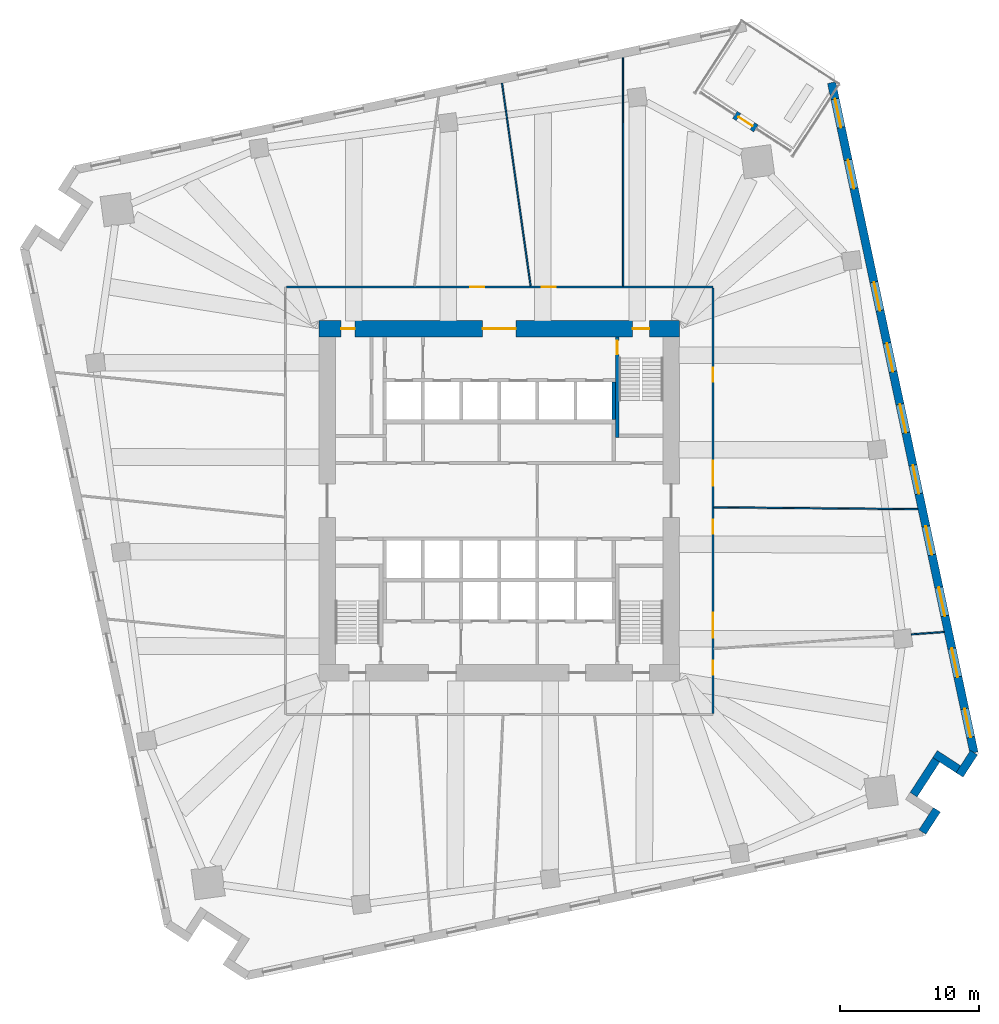
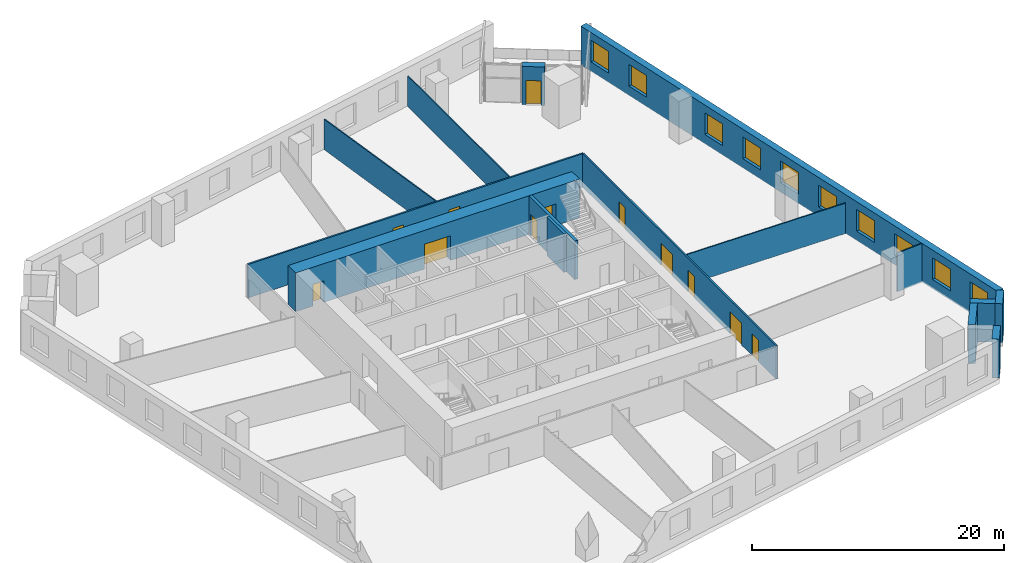
# One storey, part 7 of 10: 15 walls, 12 doors, 10 windows, 22 openings.
"""IFC4 building model written with IfcOpenShell, lengths in metres."""

from ifc_helpers import new_model, si_unit, direction, frame, frame_2d, origin, place, context, subcontext, project, spatial, rectangle, extrude, material, layer, layer_set, type_object, element, fill, save


model = new_model("IFC4")

# Units and contexts
model_context = context("Model", 3, precision=1e-05, world=origin(), true_north=direction((0.0, 1.0)))
body_context = subcontext(model_context, "Body", "Model", "MODEL_VIEW")
ifc_project = project(units=[si_unit("LENGTHUNIT", "METRE"), si_unit("AREAUNIT", "SQUARE_METRE"), si_unit("VOLUMEUNIT", "CUBIC_METRE"), si_unit("PLANEANGLEUNIT", "RADIAN"), si_unit("MASSUNIT", "GRAM", prefix="KILO")], contexts=[model_context])

# Site, building, storey
site_placement = place(None, origin())
site = spatial("IfcSite", under=ifc_project, at=site_placement, CompositionType="ELEMENT")
building_placement = place(site_placement, origin())
building = spatial("IfcBuilding", under=site, at=building_placement, Name="Dilmun Exchange Tower", CompositionType="ELEMENT")
storey_placement = place(building_placement, frame((0.0, 0.0, 68.10009765625)))
storey = spatial("IfcBuildingStorey", under=building, at=storey_placement, Name="L15", CompositionType="ELEMENT", Elevation=68.10009765625)

# Wall, openings, doors
ifc_material_1 = material(Name="Concrete C80/95", Category="concrete")
ifc_layer_1 = layer(ifc_material_1, 1.199951171875)
ifc_layer_set_1 = layer_set([ifc_layer_1], Name="Concrete C80/95")
wall_type_1 = type_object("IfcWallType", Name="Core shear wall 1200 Concrete C80/95", PredefinedType="SHEAR", material=ifc_layer_set_1)
wall_1_placement = place(storey_placement, frame((-13.0, 12.39990234375, 0.0), z_axis=(0.0, 0.0, 1.0), x_axis=(1.0, 0.0, 0.0)))
wall_1 = element("IfcWall", 1, at=wall_1_placement, inside=storey, type_object=wall_type_1, Name="L15 core shear wall N", PredefinedType="SHEAR", context=body_context, shape_type="SweptSolid", body=[
    extrude(rectangle(XDim=26.0, YDim=1.199951171875, at=frame_2d((13.0, 0.0))), origin(), (0.0, 0.0, 1.0), 3.75),
])
opening_1_placement = place(wall_1_placement, frame((11.800048828125, 0.0, 0.0)))
opening_1 = element("IfcOpeningElement", 2, at=opening_1_placement, cuts=wall_1, Name="Opening CD1", PredefinedType="OPENING", context=body_context, shape_type="SweptSolid", body=[
    extrude(rectangle(XDim=2.39990234375, YDim=2.39990234375, at=frame_2d((1.199951171875, 1.199951171875))), frame((0.0, 0.60986328125, 0.0), z_axis=(0.0, -1.0, 0.0), x_axis=(1.0, 0.0, 0.0)), (0.0, 0.0, 1.0), 1.219970703125),
])
opening_2_placement = place(wall_1_placement, frame((22.625, 0.0, 0.0)))
opening_2 = element("IfcOpeningElement", 3, at=opening_2_placement, cuts=wall_1, Name="Opening CD3", PredefinedType="OPENING", context=body_context, shape_type="SweptSolid", body=[
    extrude(rectangle(XDim=1.199951171875, YDim=2.10009765625, at=frame_2d((0.60009765625, 1.050048828125))), frame((0.0, 0.60986328125, 0.0), z_axis=(0.0, -1.0, 0.0), x_axis=(1.0, 0.0, 0.0)), (0.0, 0.0, 1.0), 1.219970703125),
])
opening_3_placement = place(wall_1_placement, frame((1.60009765625, 0.0, 0.0)))
opening_3 = element("IfcOpeningElement", 4, at=opening_3_placement, cuts=wall_1, Name="Opening CD4", PredefinedType="OPENING", context=body_context, shape_type="SweptSolid", body=[
    extrude(rectangle(XDim=1.0, YDim=2.10009765625, at=frame_2d((0.5, 1.050048828125))), frame((0.0, 0.60986328125, 0.0), z_axis=(0.0, -1.0, 0.0), x_axis=(1.0, 0.0, 0.0)), (0.0, 0.0, 1.0), 1.219970703125),
])
ifc_material_2 = material(Name="Fire-rated steel door set", Category="steel")
door_type_1 = type_object("IfcDoorType", Name="Core lobby door 2400x2400", OperationType="DOUBLE_DOOR_DOUBLE_SWING", PredefinedType="DOOR", material=ifc_material_2)
door_1_placement = place(opening_1_placement, origin())
door_1 = element("IfcDoor", 5, at=door_1_placement, inside=storey, type_object=door_type_1, Name="L15 door North lift lobby", OperationType="SINGLE_SWING_LEFT", OverallHeight=2.39990234375, OverallWidth=2.39990234375, PredefinedType="DOOR", context=body_context, shape_type="SweptSolid", body=[
    extrude(rectangle(XDim=2.39990234375, YDim=2.39990234375, at=frame_2d((1.199951171875, 1.199951171875))), frame((0.0, 0.02490234375, 0.0), z_axis=(0.0, -1.0, 0.0), x_axis=(1.0, 0.0, 0.0)), (0.0, 0.0, 1.0), 0.050048828125),
])
fill(opening_1, door_1)
door_type_2 = type_object("IfcDoorType", Name="Core room door 1000x2100", OperationType="SINGLE_SWING_LEFT", PredefinedType="DOOR", material=ifc_material_2)
door_2_placement = place(opening_3_placement, origin())
door_2 = element("IfcDoor", 6, at=door_2_placement, inside=storey, type_object=door_type_2, Name="L15 door North-west core rooms", OperationType="SINGLE_SWING_LEFT", OverallHeight=2.10009765625, OverallWidth=1.0, PredefinedType="DOOR", context=body_context, shape_type="SweptSolid", body=[
    extrude(rectangle(XDim=1.0, YDim=2.10009765625, at=frame_2d((0.5, 1.050048828125))), frame((0.0, 0.02490234375, 0.0), z_axis=(0.0, -1.0, 0.0), x_axis=(1.0, 0.0, 0.0)), (0.0, 0.0, 1.0), 0.050048828125),
])
fill(opening_3, door_2)
door_type_3 = type_object("IfcDoorType", Name="Stair exit door 1200x2100", OperationType="SINGLE_SWING_LEFT", PredefinedType="DOOR", material=ifc_material_2)
door_3_placement = place(opening_2_placement, origin())
door_3 = element("IfcDoor", 7, at=door_3_placement, inside=storey, type_object=door_type_3, Name="L15 door Stair ST1", OperationType="SINGLE_SWING_LEFT", OverallHeight=2.10009765625, OverallWidth=1.199951171875, PredefinedType="DOOR", context=body_context, shape_type="SweptSolid", body=[
    extrude(rectangle(XDim=1.199951171875, YDim=2.10009765625, at=frame_2d((0.60009765625, 1.050048828125))), frame((0.0, 0.02490234375, 0.0), z_axis=(0.0, -1.0, 0.0), x_axis=(1.0, 0.0, 0.0)), (0.0, 0.0, 1.0), 0.050048828125),
])
fill(opening_2, door_3)

ifc_material_3 = material(Name="Corridor wall 150")
ifc_layer_2 = layer(ifc_material_3, 0.14990234375)
ifc_layer_set_2 = layer_set([ifc_layer_2], Name="Corridor wall 150")
wall_type_2 = type_object("IfcWallType", Name="Corridor wall 150", PredefinedType="PARTITIONING", material=ifc_layer_set_2)
wall_2_placement = place(storey_placement, frame((-15.324951171875, 15.39990234375, 0.0), z_axis=(0.0, 0.0, 1.0), x_axis=(1.0, 0.0, 0.0)))
wall_2 = element("IfcWall", 8, at=wall_2_placement, inside=storey, type_object=wall_type_2, Name="Corridor wall", PredefinedType="PARTITIONING", context=body_context, shape_type="SweptSolid", body=[
    extrude(rectangle(XDim=30.724853515625, YDim=0.14990234375, at=frame_2d((15.3623046875, 0.0))), origin(), (0.0, 0.0, 1.0), 3.25),
])
opening_4_placement = place(wall_2_placement, frame((13.251953125, 0.0, 0.0)))
opening_4 = element("IfcOpeningElement", 9, at=opening_4_placement, cuts=wall_2, Name="Opening TF15-D08", PredefinedType="OPENING", context=body_context, shape_type="SweptSolid", body=[
    extrude(rectangle(XDim=1.0, YDim=2.10009765625, at=frame_2d((0.5, 1.050048828125))), frame((0.0, 0.0849609375, 0.0), z_axis=(0.0, -1.0, 0.0), x_axis=(1.0, 0.0, 0.0)), (0.0, 0.0, 1.0), 0.169921875),
])
opening_5_placement = place(wall_2_placement, frame((18.39501953125, 0.0, 0.0)))
opening_5 = element("IfcOpeningElement", 10, at=opening_5_placement, cuts=wall_2, Name="Opening TF15-D10", PredefinedType="OPENING", context=body_context, shape_type="SweptSolid", body=[
    extrude(rectangle(XDim=1.0, YDim=2.10009765625, at=frame_2d((0.5, 1.050048828125))), frame((0.0, 0.0849609375, 0.0), z_axis=(0.0, -1.0, 0.0), x_axis=(1.0, 0.0, 0.0)), (0.0, 0.0, 1.0), 0.169921875),
])
ifc_material_4 = material(Name="Fire door 1000 x 2100")
door_type_4 = type_object("IfcDoorType", Name="Fire door 1000 x 2100", OperationType="NOTDEFINED", PredefinedType="DOOR", material=ifc_material_4)
door_4_placement = place(opening_4_placement, origin())
door_4 = element("IfcDoor", 11, at=door_4_placement, inside=storey, type_object=door_type_4, Name="Door TF15-D08", OperationType="SINGLE_SWING_RIGHT", OverallHeight=2.10009765625, OverallWidth=1.0, PredefinedType="DOOR", context=body_context, shape_type="SweptSolid", body=[
    extrude(rectangle(XDim=1.0, YDim=2.10009765625, at=frame_2d((0.5, 1.050048828125))), frame((0.0, 0.02490234375, 0.0), z_axis=(0.0, -1.0, 0.0), x_axis=(1.0, 0.0, 0.0)), (0.0, 0.0, 1.0), 0.050048828125),
])
fill(opening_4, door_4)
door_5_placement = place(opening_5_placement, origin())
door_5 = element("IfcDoor", 12, at=door_5_placement, inside=storey, type_object=door_type_4, Name="Door TF15-D10", OperationType="SINGLE_SWING_LEFT", OverallHeight=2.10009765625, OverallWidth=1.0, PredefinedType="DOOR", context=body_context, shape_type="SweptSolid", body=[
    extrude(rectangle(XDim=1.0, YDim=2.10009765625, at=frame_2d((0.5, 1.050048828125))), frame((0.0, 0.02490234375, 0.0), z_axis=(0.0, -1.0, 0.0), x_axis=(1.0, 0.0, 0.0)), (0.0, 0.0, 1.0), 0.050048828125),
])
fill(opening_5, door_5)

wall_3_placement = place(storey_placement, frame((15.39990234375, -15.324951171875, 0.0), z_axis=(0.0, 0.0, 1.0), x_axis=(0.0, 1.0, 0.0)))
wall_3 = element("IfcWall", 13, at=wall_3_placement, inside=storey, type_object=wall_type_2, Name="Corridor wall", PredefinedType="PARTITIONING", context=body_context, shape_type="SweptSolid", body=[
    extrude(rectangle(XDim=30.64990234375, YDim=0.14990234375, at=frame_2d((15.324951171875, 0.0))), origin(), (0.0, 0.0, 1.0), 3.25),
])
opening_6_placement = place(wall_3_placement, frame((16.405029296875, 0.0, 0.0)))
opening_6 = element("IfcOpeningElement", 14, at=opening_6_placement, cuts=wall_3, Name="Opening TF15-D11", PredefinedType="OPENING", context=body_context, shape_type="SweptSolid", body=[
    extrude(rectangle(XDim=1.800048828125, YDim=2.10009765625, at=frame_2d((0.89990234375, 1.050048828125))), frame((0.0, 0.0849609375, 0.0), z_axis=(0.0, -1.0, 0.0), x_axis=(1.0, 0.0, 0.0)), (0.0, 0.0, 1.0), 0.169921875),
])
opening_7_placement = place(wall_3_placement, frame((23.905029296875, 0.0, 0.0)))
opening_7 = element("IfcOpeningElement", 15, at=opening_7_placement, cuts=wall_3, Name="Opening TF15-D12", PredefinedType="OPENING", context=body_context, shape_type="SweptSolid", body=[
    extrude(rectangle(XDim=1.0, YDim=2.10009765625, at=frame_2d((0.5, 1.050048828125))), frame((0.0, 0.0849609375, 0.0), z_axis=(0.0, -1.0, 0.0), x_axis=(1.0, 0.0, 0.0)), (0.0, 0.0, 1.0), 0.169921875),
])
opening_8_placement = place(wall_3_placement, frame((2.800048828125, 0.0, 0.0)))
opening_8 = element("IfcOpeningElement", 16, at=opening_8_placement, cuts=wall_3, Name="Opening TF15-D14", PredefinedType="OPENING", context=body_context, shape_type="SweptSolid", body=[
    extrude(rectangle(XDim=1.0, YDim=2.10009765625, at=frame_2d((0.5, 1.050048828125))), frame((0.0, 0.0849609375, 0.0), z_axis=(0.0, -1.0, 0.0), x_axis=(1.0, 0.0, 0.0)), (0.0, 0.0, 1.0), 0.169921875),
])
opening_9_placement = place(wall_3_placement, frame((5.454833984375, 0.0, 0.0)))
opening_9 = element("IfcOpeningElement", 17, at=opening_9_placement, cuts=wall_3, Name="Opening TF15-D15", PredefinedType="OPENING", context=body_context, shape_type="SweptSolid", body=[
    extrude(rectangle(XDim=1.800048828125, YDim=2.10009765625, at=frame_2d((0.89990234375, 1.050048828125))), frame((0.0, 0.0849609375, 0.0), z_axis=(0.0, -1.0, 0.0), x_axis=(1.0, 0.0, 0.0)), (0.0, 0.0, 1.0), 0.169921875),
])
opening_10_placement = place(wall_3_placement, frame((12.954833984375, 0.0, 0.0)))
opening_10 = element("IfcOpeningElement", 18, at=opening_10_placement, cuts=wall_3, Name="Opening TF15-D16", PredefinedType="OPENING", context=body_context, shape_type="SweptSolid", body=[
    extrude(rectangle(XDim=1.0, YDim=2.10009765625, at=frame_2d((0.5, 1.050048828125))), frame((0.0, 0.0849609375, 0.0), z_axis=(0.0, -1.0, 0.0), x_axis=(1.0, 0.0, 0.0)), (0.0, 0.0, 1.0), 0.169921875),
])
door_6_placement = place(opening_7_placement, frame((1.0, 0.0, 0.0), z_axis=(0.0, 0.0, 1.0), x_axis=(-1.0, 0.0, 0.0)))
door_6 = element("IfcDoor", 19, at=door_6_placement, inside=storey, type_object=door_type_4, Name="Door TF15-D12", OperationType="SINGLE_SWING_RIGHT", OverallHeight=2.10009765625, OverallWidth=1.0, PredefinedType="DOOR", context=body_context, shape_type="SweptSolid", body=[
    extrude(rectangle(XDim=1.0, YDim=2.10009765625, at=frame_2d((0.5, 1.050048828125))), frame((0.0, 0.02490234375, 0.0), z_axis=(0.0, -1.0, 0.0), x_axis=(1.0, 0.0, 0.0)), (0.0, 0.0, 1.0), 0.050048828125),
])
fill(opening_7, door_6)
door_7_placement = place(opening_8_placement, frame((1.0, 0.0, 0.0), z_axis=(0.0, 0.0, 1.0), x_axis=(-1.0, 0.0, 0.0)))
door_7 = element("IfcDoor", 20, at=door_7_placement, inside=storey, type_object=door_type_4, Name="Door TF15-D14", OperationType="SINGLE_SWING_LEFT", OverallHeight=2.10009765625, OverallWidth=1.0, PredefinedType="DOOR", context=body_context, shape_type="SweptSolid", body=[
    extrude(rectangle(XDim=1.0, YDim=2.10009765625, at=frame_2d((0.5, 1.050048828125))), frame((0.0, 0.02490234375, 0.0), z_axis=(0.0, -1.0, 0.0), x_axis=(1.0, 0.0, 0.0)), (0.0, 0.0, 1.0), 0.050048828125),
])
fill(opening_8, door_7)
door_8_placement = place(opening_10_placement, frame((1.0, 0.0, 0.0), z_axis=(0.0, 0.0, 1.0), x_axis=(-1.0, 0.0, 0.0)))
door_8 = element("IfcDoor", 21, at=door_8_placement, inside=storey, type_object=door_type_4, Name="Door TF15-D16", OperationType="SINGLE_SWING_LEFT", OverallHeight=2.10009765625, OverallWidth=1.0, PredefinedType="DOOR", context=body_context, shape_type="SweptSolid", body=[
    extrude(rectangle(XDim=1.0, YDim=2.10009765625, at=frame_2d((0.5, 1.050048828125))), frame((0.0, 0.02490234375, 0.0), z_axis=(0.0, -1.0, 0.0), x_axis=(1.0, 0.0, 0.0)), (0.0, 0.0, 1.0), 0.050048828125),
])
fill(opening_10, door_8)
ifc_material_5 = material(Name="Fire door pair 1800 x 2100")
door_type_5 = type_object("IfcDoorType", Name="Fire door pair 1800 x 2100", OperationType="NOTDEFINED", PredefinedType="DOOR", material=ifc_material_5)
door_9_placement = place(opening_6_placement, frame((1.800048828125, 0.0, 0.0), z_axis=(0.0, 0.0, 1.0), x_axis=(-1.0, 0.0, 0.0)))
door_9 = element("IfcDoor", 22, at=door_9_placement, inside=storey, type_object=door_type_5, Name="Door TF15-D11", OperationType="DOUBLE_DOOR_SINGLE_SWING", OverallHeight=2.10009765625, OverallWidth=1.800048828125, PredefinedType="DOOR", context=body_context, shape_type="SweptSolid", body=[
    extrude(rectangle(XDim=1.800048828125, YDim=2.10009765625, at=frame_2d((0.89990234375, 1.050048828125))), frame((0.0, 0.02490234375, 0.0), z_axis=(0.0, -1.0, 0.0), x_axis=(1.0, 0.0, 0.0)), (0.0, 0.0, 1.0), 0.050048828125),
])
fill(opening_6, door_9)
door_10_placement = place(opening_9_placement, frame((1.800048828125, 0.0, 0.0), z_axis=(0.0, 0.0, 1.0), x_axis=(-1.0, 0.0, 0.0)))
door_10 = element("IfcDoor", 23, at=door_10_placement, inside=storey, type_object=door_type_5, Name="Door TF15-D15", OperationType="DOUBLE_DOOR_SINGLE_SWING", OverallHeight=2.10009765625, OverallWidth=1.800048828125, PredefinedType="DOOR", context=body_context, shape_type="SweptSolid", body=[
    extrude(rectangle(XDim=1.800048828125, YDim=2.10009765625, at=frame_2d((0.89990234375, 1.050048828125))), frame((0.0, 0.02490234375, 0.0), z_axis=(0.0, -1.0, 0.0), x_axis=(1.0, 0.0, 0.0)), (0.0, 0.0, 1.0), 0.050048828125),
])
fill(opening_9, door_10)

# Walls
ifc_material_6 = material(Name="Concrete C40/50", Category="concrete")
ifc_layer_3 = layer(ifc_material_6, 0.25)
ifc_layer_set_3 = layer_set([ifc_layer_3], Name="Concrete C40/50")
wall_type_3 = type_object("IfcWallType", Name="Lift shaft wall 250", PredefinedType="SOLIDWALL", material=ifc_layer_set_3)
wall_4_placement = place(storey_placement, frame((8.25, 5.85009765625, 0.0), z_axis=(0.0, 0.0, 1.0), x_axis=(0.0, 1.0, 0.0)))
element("IfcWall", 24, at=wall_4_placement, inside=storey, type_object=wall_type_3, Name="L15 lift shaft divider N26", PredefinedType="SOLIDWALL", context=body_context, shape_type="SweptSolid", body=[
    extrude(rectangle(XDim=2.699951171875, YDim=0.25, at=frame_2d((1.35009765625, 0.0))), origin(), (0.0, 0.0, 1.0), 3.75),
])
ifc_material_7 = material(Name="Partition 100")
ifc_layer_4 = layer(ifc_material_7, 0.10009765625)
ifc_layer_set_4 = layer_set([ifc_layer_4], Name="Partition 100")
wall_type_4 = type_object("IfcWallType", Name="Partition 100", PredefinedType="PARTITIONING", material=ifc_layer_set_4)
wall_5_placement = place(storey_placement, frame((0.204345703125, 30.09814453125, 0.0), z_axis=(0.0, 0.0, 1.0), x_axis=(0.139564003069, -0.990213052352, 0.0)))
element("IfcWall", 25, at=wall_5_placement, inside=storey, type_object=wall_type_4, Name="Partition", PredefinedType="PARTITIONING", context=body_context, shape_type="SweptSolid", body=[
    extrude(rectangle(XDim=14.7607421875, YDim=0.10009765625, at=frame_2d((7.38037109375, 0.0))), origin(), (0.0, 0.0, 1.0), 2.949951171875),
])
wall_6_placement = place(storey_placement, frame((8.92431640625, 31.95166015625, 0.0), z_axis=(0.0, 0.0, 1.0), x_axis=(0.000592697857, -0.999999824355, 0.0)))
element("IfcWall", 26, at=wall_6_placement, inside=storey, type_object=wall_type_4, Name="Partition", PredefinedType="PARTITIONING", context=body_context, shape_type="SweptSolid", body=[
    extrude(rectangle(XDim=16.4765625, YDim=0.10009765625, at=frame_2d((8.23828125, 0.0))), origin(), (0.0, 0.0, 1.0), 2.949951171875),
])
wall_7_placement = place(storey_placement, frame((15.4755859375, -0.470703125, 0.0), z_axis=(0.0, 0.0, 1.0), x_axis=(0.999958628106, -0.009096267192, 0.0)))
element("IfcWall", 27, at=wall_7_placement, inside=storey, type_object=wall_type_4, Name="Partition", PredefinedType="PARTITIONING", context=body_context, shape_type="SweptSolid", body=[
    extrude(rectangle(XDim=14.7080078125, YDim=0.10009765625, at=frame_2d((7.35400390625, 0.0))), origin(), (0.0, 0.0, 1.0), 2.949951171875),
])
wall_8_placement = place(storey_placement, frame((29.706298828125, -9.62890625, 0.0), z_axis=(0.0, 0.0, 1.0), x_axis=(0.997355486737, 0.072677596798, 0.0)))
element("IfcWall", 28, at=wall_8_placement, inside=storey, type_object=wall_type_4, Name="Partition", PredefinedType="PARTITIONING", context=body_context, shape_type="SweptSolid", body=[
    extrude(rectangle(XDim=2.364990234375, YDim=0.10009765625, at=frame_2d((1.1826171875, 0.0))), origin(), (0.0, 0.0, 1.0), 3.75),
])
ifc_material_8 = material(Name="Precast concrete C50/60", Category="concrete")
ifc_layer_5 = layer(ifc_material_8, 0.60009765625)
ifc_layer_set_5 = layer_set([ifc_layer_5], Name="Precast concrete C50/60")
wall_type_5 = type_object("IfcWallType", Name="Precast stone-clad wall 600", PredefinedType="STANDARD", material=ifc_layer_set_5)
wall_9_placement = place(storey_placement, frame((30.507080078125, -23.87890625, 0.0), z_axis=(0.0, 0.0, 1.0), x_axis=(0.5446964617, 0.838633271825, 0.0)))
element("IfcWall", 29, at=wall_9_placement, inside=storey, type_object=wall_type_5, Name="Facade wall L15-16", PredefinedType="STANDARD", context=body_context, shape_type="SweptSolid", body=[
    extrude(rectangle(XDim=1.9111328125, YDim=0.60009765625, at=frame_2d((0.95556640625, 0.0))), origin(), (0.0, 0.0, 1.0), 3.75),
])
wall_10_placement = place(storey_placement, frame((29.87060546875, -21.186767578125, 0.0), z_axis=(0.0, 0.0, 1.0), x_axis=(0.54468796124, 0.838638792855, 0.0)))
element("IfcWall", 30, at=wall_10_placement, inside=storey, type_object=wall_type_5, Name="Facade wall L15-18", PredefinedType="STANDARD", context=body_context, shape_type="SweptSolid", body=[
    extrude(rectangle(XDim=3.0, YDim=0.60009765625, at=frame_2d((1.5, 0.0))), origin(), (0.0, 0.0, 1.0), 3.75),
])
wall_11_placement = place(storey_placement, frame((31.41650390625, -18.255859375, 0.0), z_axis=(0.0, 0.0, 1.0), x_axis=(0.838638792855, -0.54468796124, 0.0)))
element("IfcWall", 31, at=wall_11_placement, inside=storey, type_object=wall_type_5, Name="Facade wall L15-19", PredefinedType="STANDARD", context=body_context, shape_type="SweptSolid", body=[
    extrude(rectangle(XDim=2.0, YDim=0.60009765625, at=frame_2d((1.0, 0.0))), origin(), (0.0, 0.0, 1.0), 3.75),
])
wall_12_placement = place(storey_placement, frame((33.181884765625, -19.760009765625, 0.0), z_axis=(0.0, 0.0, 1.0), x_axis=(0.5446964617, 0.838633271825, 0.0)))
element("IfcWall", 32, at=wall_12_placement, inside=storey, type_object=wall_type_5, Name="Facade wall L15-20", PredefinedType="STANDARD", context=body_context, shape_type="SweptSolid", body=[
    extrude(rectangle(XDim=1.9111328125, YDim=0.60009765625, at=frame_2d((0.95556640625, 0.0))), origin(), (0.0, 0.0, 1.0), 3.75),
])

# Wall, openings, windows
wall_13_placement = place(storey_placement, frame((34.222900390625, -18.1572265625, 0.0), z_axis=(0.0, 0.0, 1.0), x_axis=(-0.207912687805, 0.978147388817, 0.0)))
wall_13 = element("IfcWall", 33, at=wall_13_placement, inside=storey, type_object=wall_type_5, Name="Facade wall L15-21", PredefinedType="STANDARD", context=body_context, shape_type="SweptSolid", body=[
    extrude(rectangle(XDim=49.3759765625, YDim=0.60009765625, at=frame_2d((24.68798828125, 0.0))), origin(), (0.0, 0.0, 1.0), 3.75),
])
opening_11_placement = place(wall_13_placement, frame((1.137939453125, 0.0, 0.89990234375)))
opening_11 = element("IfcOpeningElement", 34, at=opening_11_placement, cuts=wall_13, Name="Opening W210-210", PredefinedType="OPENING", context=body_context, shape_type="SweptSolid", body=[
    extrude(rectangle(XDim=2.10009765625, YDim=2.10009765625, at=frame_2d((1.050048828125, 1.050048828125))), frame((0.0, 0.31005859375, 0.0), z_axis=(0.0, -1.0, 0.0), x_axis=(1.0, 0.0, 0.0)), (0.0, 0.0, 1.0), 0.6201171875),
])
opening_12_placement = place(wall_13_placement, frame((5.57568359375, 0.0, 0.89990234375)))
opening_12 = element("IfcOpeningElement", 35, at=opening_12_placement, cuts=wall_13, Name="Opening W210-210", PredefinedType="OPENING", context=body_context, shape_type="SweptSolid", body=[
    extrude(rectangle(XDim=2.10009765625, YDim=2.10009765625, at=frame_2d((1.050048828125, 1.050048828125))), frame((0.0, 0.31005859375, 0.0), z_axis=(0.0, -1.0, 0.0), x_axis=(1.0, 0.0, 0.0)), (0.0, 0.0, 1.0), 0.6201171875),
])
opening_13_placement = place(wall_13_placement, frame((10.07568359375, 0.0, 0.89990234375)))
opening_13 = element("IfcOpeningElement", 36, at=opening_13_placement, cuts=wall_13, Name="Opening W210-210", PredefinedType="OPENING", context=body_context, shape_type="SweptSolid", body=[
    extrude(rectangle(XDim=2.10009765625, YDim=2.10009765625, at=frame_2d((1.050048828125, 1.050048828125))), frame((0.0, 0.31005859375, 0.0), z_axis=(0.0, -1.0, 0.0), x_axis=(1.0, 0.0, 0.0)), (0.0, 0.0, 1.0), 0.6201171875),
])
opening_14_placement = place(wall_13_placement, frame((14.57568359375, 0.0, 0.89990234375)))
opening_14 = element("IfcOpeningElement", 37, at=opening_14_placement, cuts=wall_13, Name="Opening W210-210", PredefinedType="OPENING", context=body_context, shape_type="SweptSolid", body=[
    extrude(rectangle(XDim=2.10009765625, YDim=2.10009765625, at=frame_2d((1.050048828125, 1.050048828125))), frame((0.0, 0.31005859375, 0.0), z_axis=(0.0, -1.0, 0.0), x_axis=(1.0, 0.0, 0.0)), (0.0, 0.0, 1.0), 0.6201171875),
])
opening_15_placement = place(wall_13_placement, frame((19.07568359375, 0.0, 0.89990234375)))
opening_15 = element("IfcOpeningElement", 38, at=opening_15_placement, cuts=wall_13, Name="Opening W210-210", PredefinedType="OPENING", context=body_context, shape_type="SweptSolid", body=[
    extrude(rectangle(XDim=2.10009765625, YDim=2.10009765625, at=frame_2d((1.050048828125, 1.050048828125))), frame((0.0, 0.31005859375, 0.0), z_axis=(0.0, -1.0, 0.0), x_axis=(1.0, 0.0, 0.0)), (0.0, 0.0, 1.0), 0.6201171875),
])
opening_16_placement = place(wall_13_placement, frame((23.57568359375, 0.0, 0.89990234375)))
opening_16 = element("IfcOpeningElement", 39, at=opening_16_placement, cuts=wall_13, Name="Opening W210-210", PredefinedType="OPENING", context=body_context, shape_type="SweptSolid", body=[
    extrude(rectangle(XDim=2.10009765625, YDim=2.10009765625, at=frame_2d((1.050048828125, 1.050048828125))), frame((0.0, 0.31005859375, 0.0), z_axis=(0.0, -1.0, 0.0), x_axis=(1.0, 0.0, 0.0)), (0.0, 0.0, 1.0), 0.6201171875),
])
opening_17_placement = place(wall_13_placement, frame((28.07568359375, 0.0, 0.89990234375)))
opening_17 = element("IfcOpeningElement", 40, at=opening_17_placement, cuts=wall_13, Name="Opening W210-210", PredefinedType="OPENING", context=body_context, shape_type="SweptSolid", body=[
    extrude(rectangle(XDim=2.10009765625, YDim=2.10009765625, at=frame_2d((1.050048828125, 1.050048828125))), frame((0.0, 0.31005859375, 0.0), z_axis=(0.0, -1.0, 0.0), x_axis=(1.0, 0.0, 0.0)), (0.0, 0.0, 1.0), 0.6201171875),
])
opening_18_placement = place(wall_13_placement, frame((32.57568359375, 0.0, 0.89990234375)))
opening_18 = element("IfcOpeningElement", 41, at=opening_18_placement, cuts=wall_13, Name="Opening W210-210", PredefinedType="OPENING", context=body_context, shape_type="SweptSolid", body=[
    extrude(rectangle(XDim=2.10009765625, YDim=2.10009765625, at=frame_2d((1.050048828125, 1.050048828125))), frame((0.0, 0.31005859375, 0.0), z_axis=(0.0, -1.0, 0.0), x_axis=(1.0, 0.0, 0.0)), (0.0, 0.0, 1.0), 0.6201171875),
])
opening_19_placement = place(wall_13_placement, frame((41.57568359375, 0.0, 0.89990234375)))
opening_19 = element("IfcOpeningElement", 42, at=opening_19_placement, cuts=wall_13, Name="Opening W210-210", PredefinedType="OPENING", context=body_context, shape_type="SweptSolid", body=[
    extrude(rectangle(XDim=2.10009765625, YDim=2.10009765625, at=frame_2d((1.050048828125, 1.050048828125))), frame((0.0, 0.31005859375, 0.0), z_axis=(0.0, -1.0, 0.0), x_axis=(1.0, 0.0, 0.0)), (0.0, 0.0, 1.0), 0.6201171875),
])
opening_20_placement = place(wall_13_placement, frame((46.07568359375, 0.0, 0.89990234375)))
opening_20 = element("IfcOpeningElement", 43, at=opening_20_placement, cuts=wall_13, Name="Opening W210-210", PredefinedType="OPENING", context=body_context, shape_type="SweptSolid", body=[
    extrude(rectangle(XDim=2.10009765625, YDim=2.10009765625, at=frame_2d((1.050048828125, 1.050048828125))), frame((0.0, 0.31005859375, 0.0), z_axis=(0.0, -1.0, 0.0), x_axis=(1.0, 0.0, 0.0)), (0.0, 0.0, 1.0), 0.6201171875),
])
ifc_material_9 = material(Name="Clear low-emissivity glass in aluminium frame", Category="aluminium")
window_type = type_object("IfcWindowType", Name="Punched window 2100 x 2100", PartitioningType="DOUBLE_PANEL_VERTICAL", PredefinedType="WINDOW", material=ifc_material_9)
window_1_placement = place(opening_11_placement, origin())
window_1 = element("IfcWindow", 44, at=window_1_placement, inside=storey, type_object=window_type, Name="Window 22.1", OverallHeight=2.10009765625, OverallWidth=2.10009765625, PartitioningType="SINGLE_PANEL", PredefinedType="WINDOW", context=body_context, shape_type="SweptSolid", body=[
    extrude(rectangle(XDim=2.10009765625, YDim=2.10009765625, at=frame_2d((1.050048828125, 1.050048828125))), frame((0.0, 0.030029296875, 0.0), z_axis=(0.0, -1.0, 0.0), x_axis=(1.0, 0.0, 0.0)), (0.0, 0.0, 1.0), 0.06005859375),
])
fill(opening_11, window_1)
window_2_placement = place(opening_12_placement, origin())
window_2 = element("IfcWindow", 45, at=window_2_placement, inside=storey, type_object=window_type, Name="Window 22.2", OverallHeight=2.10009765625, OverallWidth=2.10009765625, PartitioningType="SINGLE_PANEL", PredefinedType="WINDOW", context=body_context, shape_type="SweptSolid", body=[
    extrude(rectangle(XDim=2.10009765625, YDim=2.10009765625, at=frame_2d((1.050048828125, 1.050048828125))), frame((0.0, 0.030029296875, 0.0), z_axis=(0.0, -1.0, 0.0), x_axis=(1.0, 0.0, 0.0)), (0.0, 0.0, 1.0), 0.06005859375),
])
fill(opening_12, window_2)
window_3_placement = place(opening_13_placement, origin())
window_3 = element("IfcWindow", 46, at=window_3_placement, inside=storey, type_object=window_type, Name="Window 22.3", OverallHeight=2.10009765625, OverallWidth=2.10009765625, PartitioningType="SINGLE_PANEL", PredefinedType="WINDOW", context=body_context, shape_type="SweptSolid", body=[
    extrude(rectangle(XDim=2.10009765625, YDim=2.10009765625, at=frame_2d((1.050048828125, 1.050048828125))), frame((0.0, 0.030029296875, 0.0), z_axis=(0.0, -1.0, 0.0), x_axis=(1.0, 0.0, 0.0)), (0.0, 0.0, 1.0), 0.06005859375),
])
fill(opening_13, window_3)
window_4_placement = place(opening_14_placement, origin())
window_4 = element("IfcWindow", 47, at=window_4_placement, inside=storey, type_object=window_type, Name="Window 22.4", OverallHeight=2.10009765625, OverallWidth=2.10009765625, PartitioningType="SINGLE_PANEL", PredefinedType="WINDOW", context=body_context, shape_type="SweptSolid", body=[
    extrude(rectangle(XDim=2.10009765625, YDim=2.10009765625, at=frame_2d((1.050048828125, 1.050048828125))), frame((0.0, 0.030029296875, 0.0), z_axis=(0.0, -1.0, 0.0), x_axis=(1.0, 0.0, 0.0)), (0.0, 0.0, 1.0), 0.06005859375),
])
fill(opening_14, window_4)
window_5_placement = place(opening_15_placement, origin())
window_5 = element("IfcWindow", 48, at=window_5_placement, inside=storey, type_object=window_type, Name="Window 22.5", OverallHeight=2.10009765625, OverallWidth=2.10009765625, PartitioningType="SINGLE_PANEL", PredefinedType="WINDOW", context=body_context, shape_type="SweptSolid", body=[
    extrude(rectangle(XDim=2.10009765625, YDim=2.10009765625, at=frame_2d((1.050048828125, 1.050048828125))), frame((0.0, 0.030029296875, 0.0), z_axis=(0.0, -1.0, 0.0), x_axis=(1.0, 0.0, 0.0)), (0.0, 0.0, 1.0), 0.06005859375),
])
fill(opening_15, window_5)
window_6_placement = place(opening_16_placement, origin())
window_6 = element("IfcWindow", 49, at=window_6_placement, inside=storey, type_object=window_type, Name="Window 22.6", OverallHeight=2.10009765625, OverallWidth=2.10009765625, PartitioningType="SINGLE_PANEL", PredefinedType="WINDOW", context=body_context, shape_type="SweptSolid", body=[
    extrude(rectangle(XDim=2.10009765625, YDim=2.10009765625, at=frame_2d((1.050048828125, 1.050048828125))), frame((0.0, 0.030029296875, 0.0), z_axis=(0.0, -1.0, 0.0), x_axis=(1.0, 0.0, 0.0)), (0.0, 0.0, 1.0), 0.06005859375),
])
fill(opening_16, window_6)
window_7_placement = place(opening_17_placement, origin())
window_7 = element("IfcWindow", 50, at=window_7_placement, inside=storey, type_object=window_type, Name="Window 22.7", OverallHeight=2.10009765625, OverallWidth=2.10009765625, PartitioningType="SINGLE_PANEL", PredefinedType="WINDOW", context=body_context, shape_type="SweptSolid", body=[
    extrude(rectangle(XDim=2.10009765625, YDim=2.10009765625, at=frame_2d((1.050048828125, 1.050048828125))), frame((0.0, 0.030029296875, 0.0), z_axis=(0.0, -1.0, 0.0), x_axis=(1.0, 0.0, 0.0)), (0.0, 0.0, 1.0), 0.06005859375),
])
fill(opening_17, window_7)
window_8_placement = place(opening_18_placement, origin())
window_8 = element("IfcWindow", 51, at=window_8_placement, inside=storey, type_object=window_type, Name="Window 22.8", OverallHeight=2.10009765625, OverallWidth=2.10009765625, PartitioningType="SINGLE_PANEL", PredefinedType="WINDOW", context=body_context, shape_type="SweptSolid", body=[
    extrude(rectangle(XDim=2.10009765625, YDim=2.10009765625, at=frame_2d((1.050048828125, 1.050048828125))), frame((0.0, 0.030029296875, 0.0), z_axis=(0.0, -1.0, 0.0), x_axis=(1.0, 0.0, 0.0)), (0.0, 0.0, 1.0), 0.06005859375),
])
fill(opening_18, window_8)
window_9_placement = place(opening_19_placement, origin())
window_9 = element("IfcWindow", 52, at=window_9_placement, inside=storey, type_object=window_type, Name="Window 22.10", OverallHeight=2.10009765625, OverallWidth=2.10009765625, PartitioningType="SINGLE_PANEL", PredefinedType="WINDOW", context=body_context, shape_type="SweptSolid", body=[
    extrude(rectangle(XDim=2.10009765625, YDim=2.10009765625, at=frame_2d((1.050048828125, 1.050048828125))), frame((0.0, 0.030029296875, 0.0), z_axis=(0.0, -1.0, 0.0), x_axis=(1.0, 0.0, 0.0)), (0.0, 0.0, 1.0), 0.06005859375),
])
fill(opening_19, window_9)
window_10_placement = place(opening_20_placement, origin())
window_10 = element("IfcWindow", 53, at=window_10_placement, inside=storey, type_object=window_type, Name="Window 22.11", OverallHeight=2.10009765625, OverallWidth=2.10009765625, PartitioningType="SINGLE_PANEL", PredefinedType="WINDOW", context=body_context, shape_type="SweptSolid", body=[
    extrude(rectangle(XDim=2.10009765625, YDim=2.10009765625, at=frame_2d((1.050048828125, 1.050048828125))), frame((0.0, 0.030029296875, 0.0), z_axis=(0.0, -1.0, 0.0), x_axis=(1.0, 0.0, 0.0)), (0.0, 0.0, 1.0), 0.06005859375),
])
fill(opening_20, window_10)

# Wall, opening, door
wall_14_placement = place(storey_placement, frame((18.505126953125, 26.8427734375, 0.0), z_axis=(0.0, 0.0, 1.0), x_axis=(-0.838626401191, 0.544707039816, 0.0)))
wall_14 = element("IfcWall", 54, at=wall_14_placement, inside=storey, type_object=wall_type_5, Name="Facade wall L15-01-D", PredefinedType="STANDARD", context=body_context, shape_type="SweptSolid", body=[
    extrude(rectangle(XDim=1.800048828125, YDim=0.60009765625, at=frame_2d((0.89990234375, 0.0))), origin(), (0.0, 0.0, 1.0), 3.75),
])
opening_21_placement = place(wall_14_placement, frame((0.300048828125, 0.0, 0.0)))
opening_21 = element("IfcOpeningElement", 55, at=opening_21_placement, cuts=wall_14, Name="Opening GD-1", PredefinedType="OPENING", context=body_context, shape_type="SweptSolid", body=[
    extrude(rectangle(XDim=1.199951171875, YDim=2.39990234375, at=frame_2d((0.60009765625, 1.199951171875))), frame((0.0, 0.31005859375, 0.0), z_axis=(0.0, -1.0, 0.0), x_axis=(1.0, 0.0, 0.0)), (0.0, 0.0, 1.0), 0.6201171875),
])
door_type_6 = type_object("IfcDoorType", Name="Glazed garden door 1200 x 2400", OperationType="SINGLE_SWING_LEFT", PredefinedType="DOOR", material=ifc_material_9)
door_11_placement = place(opening_21_placement, origin())
door_11 = element("IfcDoor", 56, at=door_11_placement, inside=storey, type_object=door_type_6, Name="Garden terrace door", OperationType="SINGLE_SWING_LEFT", OverallHeight=2.39990234375, OverallWidth=1.199951171875, PredefinedType="DOOR", context=body_context, shape_type="SweptSolid", body=[
    extrude(rectangle(XDim=1.199951171875, YDim=2.39990234375, at=frame_2d((0.60009765625, 1.199951171875))), frame((0.0, 0.02490234375, 0.0), z_axis=(0.0, -1.0, 0.0), x_axis=(1.0, 0.0, 0.0)), (0.0, 0.0, 1.0), 0.050048828125),
])
fill(opening_21, door_11)

ifc_layer_6 = layer(ifc_material_6, 0.27490234375)
ifc_layer_set_6 = layer_set([ifc_layer_6], Name="Concrete C40/50")
wall_type_6 = type_object("IfcWallType", Name="Stair wall 275", PredefinedType="SOLIDWALL", material=ifc_layer_set_6)
wall_15_placement = place(storey_placement, frame((8.512451171875, 4.550048828125, 0.0), z_axis=(0.0, 0.0, 1.0), x_axis=(0.0, 1.0, 0.0)))
wall_15 = element("IfcWall", 57, at=wall_15_placement, inside=storey, type_object=wall_type_6, Name="L15 ST1 wall to lift block", PredefinedType="SOLIDWALL", context=body_context, shape_type="SweptSolid", body=[
    extrude(rectangle(XDim=7.25, YDim=0.27490234375, at=frame_2d((3.625, 0.0))), origin(), (0.0, 0.0, 1.0), 3.75),
])
opening_22_placement = place(wall_15_placement, frame((6.0, 0.0, 0.0)))
opening_22 = element("IfcOpeningElement", 58, at=opening_22_placement, cuts=wall_15, Name="Opening CD4", PredefinedType="OPENING", context=body_context, shape_type="SweptSolid", body=[
    extrude(rectangle(XDim=1.0, YDim=2.10009765625, at=frame_2d((0.5, 1.050048828125))), frame((0.0, 0.1474609375, 0.0), z_axis=(0.0, -1.0, 0.0), x_axis=(1.0, 0.0, 0.0)), (0.0, 0.0, 1.0), 0.294921875),
])
door_12_placement = place(opening_22_placement, origin())
door_12 = element("IfcDoor", 59, at=door_12_placement, inside=storey, type_object=door_type_2, Name="L15 door ST1 from lobby", OperationType="SINGLE_SWING_LEFT", OverallHeight=2.10009765625, OverallWidth=1.0, PredefinedType="DOOR", context=body_context, shape_type="SweptSolid", body=[
    extrude(rectangle(XDim=1.0, YDim=2.10009765625, at=frame_2d((0.5, 1.050048828125))), frame((0.0, 0.02490234375, 0.0), z_axis=(0.0, -1.0, 0.0), x_axis=(1.0, 0.0, 0.0)), (0.0, 0.0, 1.0), 0.050048828125),
])
fill(opening_22, door_12)

save(model, "model.ifc")
